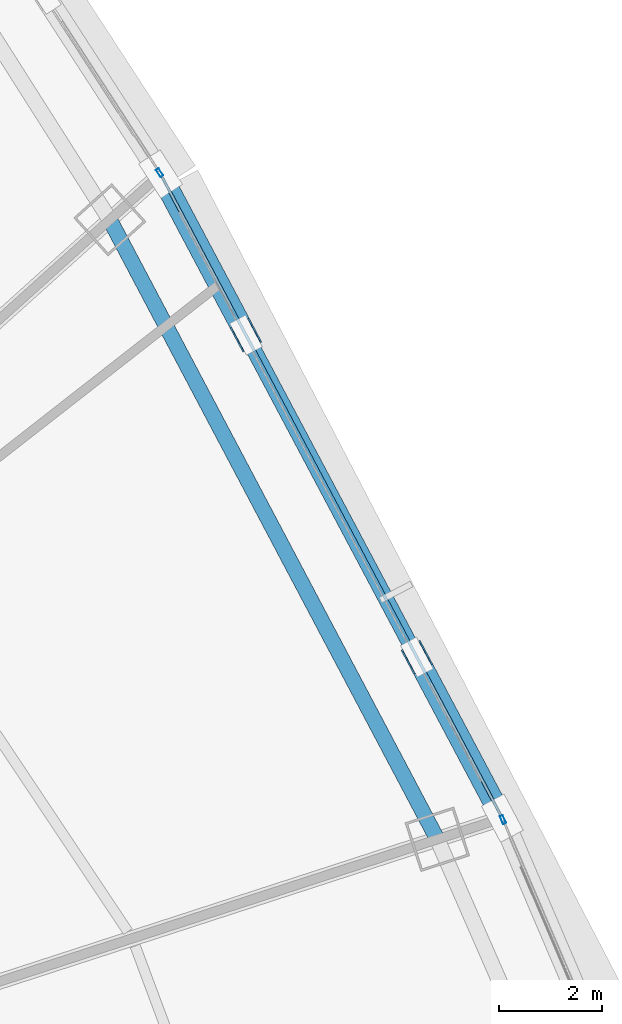
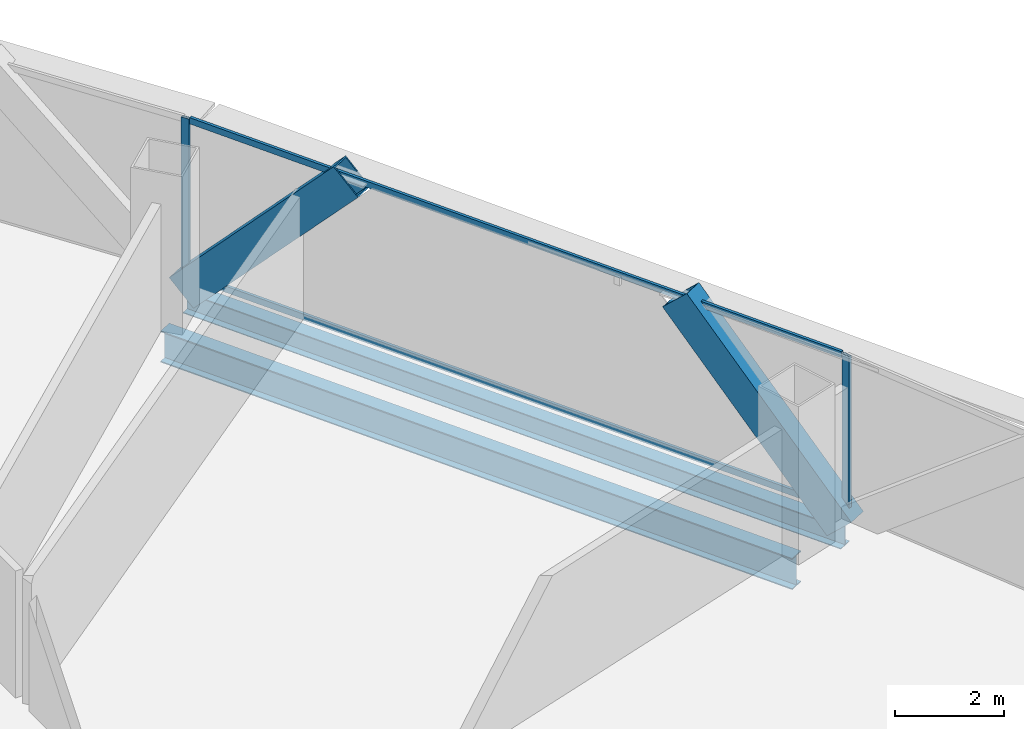
# One storey, part 26 of 41: 6 members, 2 beams, 3 elements without a shape of their own.
"""IFC4 building model written with IfcOpenShell, lengths in metres."""

import ifcopenshell
import ifcopenshell.guid

model = None  # the IFC model being written
_history = None  # IfcOwnerHistory: only IFC2X3 demands one
_inside = {}  # id of a spatial element -> (the spatial element, [elements in it])
_under = {}  # id of a project, library or spatial element -> (it, [spatial elements below it])
_declared = {}  # id of a project -> (the project, [libraries it declares])
_typed = {}  # id of a type object -> (the type object, [elements of that type])
_made_of = {}  # id of a material, layer set ... -> (it, [elements and type objects made of it])


def new_model(schema):
    """Start an empty IFC model of exactly this schema.

    Asked for "IFC4X3", IfcOpenShell would pick the latest addendum, in which some entities
    have other attributes; the version numbers below select the first issue.
    IFC2X3 requires an IfcOwnerHistory on every rooted entity: one is made here for all.
    """
    global model, _history
    if schema == "IFC4X3":
        model = ifcopenshell.file(schema_version=(4, 3, 0, 0))
    else:
        model = ifcopenshell.file(schema=schema)
    _inside.clear()
    _under.clear()
    _declared.clear()
    _typed.clear()
    _made_of.clear()
    _history = None
    if model.schema == "IFC2X3":
        org = make("IfcOrganization", Name="unknown")
        user = make(
            "IfcPersonAndOrganization",
            ThePerson=make("IfcPerson", FamilyName="unknown"),
            TheOrganization=org,
        )
        app = make(
            "IfcApplication",
            ApplicationDeveloper=org,
            Version="unknown",
            ApplicationFullName="unknown",
            ApplicationIdentifier="unknown",
        )
        _history = make(
            "IfcOwnerHistory",
            OwningUser=user,
            OwningApplication=app,
            ChangeAction="ADDED",
            CreationDate=0,
        )
    return model


def make(cls, **values):
    """One entity of the class cls with the attributes given. An attribute that is None is left unset."""
    return model.create_entity(
        cls, **{name: value for name, value in values.items() if value is not None}
    )


def rooted(cls, **values):
    """An entity with a GlobalId (a new one), such as an element, a storey or a relation."""
    return make(cls, GlobalId=ifcopenshell.guid.new(), OwnerHistory=_history, **values)


def si_unit(unit_type, name, prefix=None):
    """IfcSIUnit, for example si_unit("LENGTHUNIT", "METRE", prefix="MILLI")."""
    return make("IfcSIUnit", UnitType=unit_type, Prefix=prefix, Name=name)


def assignment(units):
    """IfcUnitAssignment: the units of a project."""
    return None if units is None else make("IfcUnitAssignment", Units=units)


def point(xyz):
    """IfcCartesianPoint."""
    return None if xyz is None else make("IfcCartesianPoint", Coordinates=xyz)


def direction(xyz):
    """IfcDirection."""
    return None if xyz is None else make("IfcDirection", DirectionRatios=xyz)


def frame(location, z_axis=None, x_axis=None):
    """IfcAxis2Placement3D, a coordinate frame: its origin and axes. An axis left out is left unset."""
    return make(
        "IfcAxis2Placement3D",
        Location=point(location),
        Axis=direction(z_axis),
        RefDirection=direction(x_axis),
    )


def frame_2d(location, x_axis=None):
    """IfcAxis2Placement2D, a coordinate frame in the plane: its origin and x axis."""
    return make(
        "IfcAxis2Placement2D", Location=point(location), RefDirection=direction(x_axis)
    )


def origin():
    """The frame at (0, 0, 0) with its axes left unset."""
    return frame((0.0, 0.0, 0.0))


def origin_2d():
    """The frame at (0, 0) in the plane with its x axis left unset."""
    return frame_2d((0.0, 0.0))


def place(relative_to, where):
    """IfcLocalPlacement: puts the frame where relative to a parent placement (None: the world)."""
    return make(
        "IfcLocalPlacement", PlacementRelTo=relative_to, RelativePlacement=where
    )


def context(
    kind, dimensions, precision=None, world=None, true_north=None, identifier=None
):
    """IfcGeometricRepresentationContext, for example the 3D "Model" context."""
    return make(
        "IfcGeometricRepresentationContext",
        ContextIdentifier=identifier,
        ContextType=kind,
        CoordinateSpaceDimension=dimensions,
        Precision=precision,
        WorldCoordinateSystem=world,
        TrueNorth=true_north,
    )


def subcontext(parent, identifier, kind, view, scale=None):
    """IfcGeometricRepresentationSubContext, for example "Body" below "Model"."""
    return make(
        "IfcGeometricRepresentationSubContext",
        ContextIdentifier=identifier,
        ContextType=kind,
        ParentContext=parent,
        TargetScale=scale,
        TargetView=view,
    )


def project(units=None, contexts=None):
    """IfcProject with its units and contexts."""
    return rooted(
        "IfcProject",
        Name="project",
        RepresentationContexts=contexts,
        UnitsInContext=assignment(units),
    )


def spatial(cls, under=None, at=None, **own):
    """A site, building, storey or space (cls), placed at a placement, below another one or the project."""
    s = rooted(cls, ObjectPlacement=at, **own)
    if under is not None:
        _under.setdefault(under.id(), (under, []))[1].append(s)
    return s


def profile(cls, at=None, kind="AREA", **sizes):
    """A parametric profile (cls). Its sizes go by their IFC names, for example OverallWidth=200.0."""
    return make(cls, ProfileType=kind, Position=at, **sizes)


def hollow_rectangle(**sizes):
    """IfcRectangleHollowProfileDef."""
    return profile("IfcRectangleHollowProfileDef", **sizes)


def i_section(**sizes):
    """IfcIShapeProfileDef."""
    return profile("IfcIShapeProfileDef", **sizes)


def extrude(swept, where, along, depth):
    """IfcExtrudedAreaSolid: the profile swept, set in the frame where, extruded along a direction by depth."""
    return make(
        "IfcExtrudedAreaSolid",
        SweptArea=swept,
        Position=where,
        ExtrudedDirection=direction(along),
        Depth=depth,
    )


def shape(context_of_items, identifier, shape_type, items):
    """IfcShapeRepresentation: the items that make up one representation, for example the "Body"."""
    return make(
        "IfcShapeRepresentation",
        ContextOfItems=context_of_items,
        RepresentationIdentifier=identifier,
        RepresentationType=shape_type,
        Items=items,
    )


def source(mapping_origin, context_of_items, identifier, shape_type, items):
    """IfcRepresentationMap: a shape defined once, which mapped items show again and again."""
    return make(
        "IfcRepresentationMap",
        MappingOrigin=mapping_origin,
        MappedRepresentation=shape(context_of_items, identifier, shape_type, items),
    )


def transform(
    local_origin,
    x_axis=None,
    y_axis=None,
    z_axis=None,
    scale=None,
    scale2=None,
    scale3=None,
    uniform=True,
):
    """IfcCartesianTransformationOperator3D, or its non-uniform kind. x_axis, y_axis, z_axis: its Axis1, 2, 3."""
    if uniform:
        return make(
            "IfcCartesianTransformationOperator3D",
            Axis1=direction(x_axis),
            Axis2=direction(y_axis),
            LocalOrigin=point(local_origin),
            Scale=scale,
            Axis3=direction(z_axis),
        )
    return make(
        "IfcCartesianTransformationOperator3DnonUniform",
        Axis1=direction(x_axis),
        Axis2=direction(y_axis),
        LocalOrigin=point(local_origin),
        Scale=scale,
        Axis3=direction(z_axis),
        Scale2=scale2,
        Scale3=scale3,
    )


def mapped(mapping_source, mapping_target):
    """IfcMappedItem: shows the shape of a source again, moved by a transform."""
    return make(
        "IfcMappedItem", MappingSource=mapping_source, MappingTarget=mapping_target
    )


def material(Name=None, Category=None):
    """IfcMaterial."""
    return make("IfcMaterial", Name=Name, Category=Category)


def layer(
    of_material, thickness, ventilated=None, Name=None, Category=None, Priority=None
):
    """IfcMaterialLayer: one layer of a wall or slab, of a material (None: an air gap)."""
    return make(
        "IfcMaterialLayer",
        Material=of_material,
        LayerThickness=thickness,
        IsVentilated=ventilated,
        Name=Name,
        Category=Category,
        Priority=Priority,
    )


def layer_set(layers, Name=None):
    """IfcMaterialLayerSet."""
    return make("IfcMaterialLayerSet", MaterialLayers=layers, LayerSetName=Name)


def material_profile(
    of_material, cross_section, Name=None, Category=None, Priority=None
):
    """IfcMaterialProfile: a cross section and its material."""
    return make(
        "IfcMaterialProfile",
        Name=Name,
        Material=of_material,
        Profile=cross_section,
        Priority=Priority,
        Category=Category,
    )


def profile_set(profiles, Name=None, composite=None):
    """IfcMaterialProfileSet."""
    return make(
        "IfcMaterialProfileSet",
        Name=Name,
        MaterialProfiles=profiles,
        CompositeProfile=composite,
    )


def made_of(thing, what):
    """Note that an element or type object is made of a material, layer set ...; save() writes the relation."""
    if what is not None:
        _made_of.setdefault(what.id(), (what, []))[1].append(thing)
    return thing


def type_object(cls, material=None, **own):
    """A type object (cls), such as IfcWallType, which elements share."""
    return made_of(rooted(cls, **own), material)


def element(
    cls,
    number,
    at=None,
    inside=None,
    cuts=None,
    type_object=None,
    material=None,
    context=None,
    identifier="Body",
    shape_type=None,
    held_by="IfcProductDefinitionShape",
    body=None,
    shapes=None,
    **own,
):
    """One element of the class cls, such as IfcWall. Its Tag is "e" and its number.

    at: its placement. inside: the storey or other place that contains it. cuts: it is an
    opening in that element (IfcRelVoidsElement). A single representation is given by context,
    identifier, shape_type and body (its items); several are given by shapes. held_by: the class
    of the entity that holds the representations. save() writes the other relations.
    """
    e = rooted(cls, Tag="e%d" % number, ObjectPlacement=at, **own)
    if body is not None:
        shapes = [shape(context, identifier, shape_type, body)]
    if shapes is not None:
        e.Representation = make(held_by, Representations=shapes)
    if inside is not None:
        _inside.setdefault(inside.id(), (inside, []))[1].append(e)
    if cuts is not None:
        rooted(
            "IfcRelVoidsElement", RelatingBuildingElement=cuts, RelatedOpeningElement=e
        )
    if type_object is not None:
        _typed.setdefault(type_object.id(), (type_object, []))[1].append(e)
    return made_of(e, material)


def aggregate(whole, parts):
    """IfcRelAggregates: a whole, such as a stair, and the parts it consists of."""
    return rooted("IfcRelAggregates", RelatingObject=whole, RelatedObjects=parts)


def save(model, path):
    """Write the relations noted so far, then the file.

    IfcRelAggregates (storeys below a building ...), IfcRelContainedInSpatialStructure (elements
    in a storey), IfcRelDefinesByType, IfcRelAssociatesMaterial and IfcRelDeclares: one each for
    every whole, place, type object, material and project.
    """
    for whole, parts in _under.values():
        aggregate(whole, parts)
    for where, things in _inside.values():
        rooted(
            "IfcRelContainedInSpatialStructure",
            RelatedElements=things,
            RelatingStructure=where,
        )
    for kind, things in _typed.values():
        rooted("IfcRelDefinesByType", RelatedObjects=things, RelatingType=kind)
    for what, things in _made_of.values():
        rooted("IfcRelAssociatesMaterial", RelatedObjects=things, RelatingMaterial=what)
    for by, libraries in _declared.values():
        rooted("IfcRelDeclares", RelatingContext=by, RelatedDefinitions=libraries)
    model.write(path)


model = new_model("IFC4")

# Units and contexts
model_context = context("Model", 3, precision=1e-05, world=origin(), true_north=direction((0.0, 1.0)))
body_context = subcontext(model_context, "Body", "Model", "MODEL_VIEW")
ifc_project = project(units=[si_unit("LENGTHUNIT", "METRE"), si_unit("AREAUNIT", "SQUARE_METRE"), si_unit("VOLUMEUNIT", "CUBIC_METRE"), si_unit("PLANEANGLEUNIT", "RADIAN"), si_unit("MASSUNIT", "GRAM", prefix="KILO"), si_unit("THERMODYNAMICTEMPERATUREUNIT", "KELVIN"), si_unit("POWERUNIT", "WATT")], contexts=[model_context])

# Site, building, storey
site_placement = place(None, origin())
site = spatial("IfcSite", under=ifc_project, at=site_placement, CompositionType="ELEMENT")
building_placement = place(site_placement, origin())
building = spatial("IfcBuilding", under=site, at=building_placement, Name="Yunzhuo Pagoda Commons", CompositionType="ELEMENT")
storey_placement = place(building_placement, frame((0.0, 0.0, 111.580078125)))
storey = spatial("IfcBuildingStorey", under=building, at=storey_placement, Name="L28", CompositionType="ELEMENT", Elevation=111.580078125)

# Beams
ifc_material_1 = material(Name="Structural steel Q355B", Category="steel")
ifc_material_profile_1 = material_profile(ifc_material_1, i_section(OverallWidth=0.300048828125, OverallDepth=0.699951171875, WebThickness=0.012939453125, FlangeThickness=0.02392578125, at=origin_2d()), Name="Structural steel Q355B")
ifc_profile_set_1 = profile_set([ifc_material_profile_1], Name="Structural steel Q355B")
beam_type_1 = type_object("IfcBeamType", Name="B-RG1 Beam HN 700x300x13x24", PredefinedType="BEAM", material=ifc_profile_set_1)
shared_shape_1 = source(origin(), body_context, "Body", "SweptSolid", [
    extrude(i_section(OverallWidth=0.300048828125, OverallDepth=0.699951171875, WebThickness=0.012939453125, FlangeThickness=0.02392578125, at=origin_2d()), origin(), (0.0, 0.0, 1.0), 13.66748046875),
])
beam_1_placement = place(storey_placement, frame((78.99072265625, 43.76953125, -0.610107421875), z_axis=(-0.467383716456, 0.88405455804, 0.0), x_axis=(-0.88405455804, -0.467383716456, 0.0)))
element("IfcBeam", 1, at=beam_1_placement, inside=storey, type_object=beam_type_1, Name="L28 column-ring beam 6", PredefinedType="BEAM", context=body_context, shape_type="MappedRepresentation", body=[
    mapped(shared_shape_1, transform((0.0, 0.0, 0.0), scale=1.0)),
])
ifc_material_profile_2 = material_profile(ifc_material_1, i_section(OverallWidth=0.300048828125, OverallDepth=0.488037109375, WebThickness=0.010986328125, FlangeThickness=0.01806640625, at=origin_2d()), Name="Structural steel Q355B")
ifc_profile_set_2 = profile_set([ifc_material_profile_2], Name="Structural steel Q355B")
beam_type_2 = type_object("IfcBeamType", Name="B-SP1 Beam HM 488x300x11x18", PredefinedType="BEAM", material=ifc_profile_set_2)
shared_shape_2 = source(origin(), body_context, "Body", "SweptSolid", [
    extrude(i_section(OverallWidth=0.300048828125, OverallDepth=0.488037109375, WebThickness=0.010986328125, FlangeThickness=0.01806640625, at=origin_2d()), origin(), (0.0, 0.0, 1.0), 14.220947265625),
])
beam_2_placement = place(storey_placement, frame((80.25830078125, 44.181640625, -0.504150390625), z_axis=(-0.468761461949, 0.883324794055, 0.0), x_axis=(-0.883324794055, -0.468761461949, 0.0)))
element("IfcBeam", 2, at=beam_2_placement, inside=storey, type_object=beam_type_2, Name="L28 facade edge spandrel beam F2.2", PredefinedType="BEAM", context=body_context, shape_type="MappedRepresentation", body=[
    mapped(shared_shape_2, transform((0.0, 0.0, 0.0), scale=1.0)),
])

# Members
ifc_material_2 = material(Name="Structural steel Q420B", Category="steel")
ifc_material_profile_3 = material_profile(ifc_material_2, hollow_rectangle(XDim=0.419921875, YDim=0.719970703125, WallThickness=0.028076171875, at=origin_2d()), Name="Structural steel Q420B")
ifc_profile_set_3 = profile_set([ifc_material_profile_3], Name="Structural steel Q420B")
member_type_1 = type_object("IfcMemberType", Name="M-DL1 Brace BOX 720x420x28", PredefinedType="BRACE", material=ifc_profile_set_3)
shared_shape_3 = source(origin(), body_context, "Body", "SweptSolid", [
    extrude(hollow_rectangle(XDim=0.419921875, YDim=0.719970703125, WallThickness=0.028076171875, at=origin_2d()), origin(), (0.0, 0.0, 1.0), 5.20361328125),
])
member_1_placement = place(storey_placement, frame((80.25830078125, 44.181640625, -0.260009765625), z_axis=(-0.320256182833, 0.603447849927, 0.730264794287), x_axis=(-0.883313039541, -0.468783611251, 0.0)))
element("IfcMember", 3, at=member_1_placement, inside=storey, type_object=member_type_1, Name="L28 facade diamond brace F2.2L", PredefinedType="BRACE", context=body_context, shape_type="MappedRepresentation", body=[
    mapped(shared_shape_3, transform((0.0, 0.0, 0.0), scale=1.0)),
])
shared_shape_4 = source(origin(), body_context, "Body", "SweptSolid", [
    extrude(hollow_rectangle(XDim=0.419921875, YDim=0.719970703125, WallThickness=0.028076171875, at=origin_2d()), origin(), (0.0, 0.0, 1.0), 5.203857421875),
])
member_2_placement = place(storey_placement, frame((73.592041015625, 56.743408203125, -0.260009765625), z_axis=(0.32023804876, -0.603507509412, 0.730223444029), x_axis=(0.883343218339, 0.468726741945, 0.0)))
element("IfcMember", 4, at=member_2_placement, inside=storey, type_object=member_type_1, Name="L28 facade diamond brace F2.2R", PredefinedType="BRACE", context=body_context, shape_type="MappedRepresentation", body=[
    mapped(shared_shape_4, transform((0.0, 0.0, 0.0), scale=1.0)),
])

# Curtain wall, member
ifc_material_3 = material(Name="Anodized aluminium 6063-T6", Category="aluminium")
ifc_layer = layer(ifc_material_3, 0.1650390625)
ifc_layer_set = layer_set([ifc_layer], Name="Anodized aluminium 6063-T6")
curtain_wall_type = type_object("IfcCurtainWallType", Name="CW-LOW Low-Zone Ribbon Curtain Wall", PredefinedType="NOTDEFINED", material=ifc_layer_set)
curtain_wall_1_placement = place(storey_placement, origin())
curtain_wall_1 = element("IfcCurtainWall", 5, at=curtain_wall_1_placement, inside=storey, type_object=curtain_wall_type, Name="L28 curtain wall CW-L28-F2B2", PredefinedType="NOTDEFINED")
ifc_material_profile_4 = material_profile(ifc_material_3, hollow_rectangle(XDim=0.06494140625, YDim=0.1650390625, WallThickness=0.00390625, at=origin_2d()), Name="Anodized aluminium 6063-T6")
ifc_profile_set_4 = profile_set([ifc_material_profile_4], Name="Anodized aluminium 6063-T6")
member_type_2 = type_object("IfcMemberType", Name="CW-LOW-M Mullion RHS 165x65x4", PredefinedType="MULLION", material=ifc_profile_set_4)
shared_shape_5 = source(origin(), body_context, "Body", "SweptSolid", [
    extrude(hollow_rectangle(XDim=0.06494140625, YDim=0.1650390625, WallThickness=0.00390625, at=origin_2d()), origin(), (0.0, 0.0, 1.0), 3.5400390625),
])
member_3_placement = place(storey_placement, frame((80.27099609375, 44.1513671875, 0.0), z_axis=(0.0, 0.0, 1.0), x_axis=(-0.919648900825, -0.392741517046, 0.0)))
member_3 = element("IfcMember", 6, at=member_3_placement, type_object=member_type_2, Name="CW mullion 2", PredefinedType="MULLION", context=body_context, shape_type="MappedRepresentation", body=[
    mapped(shared_shape_5, transform((0.0, 0.0, 0.0), scale=1.0)),
])
aggregate(curtain_wall_1, [member_3])

curtain_wall_2_placement = place(storey_placement, origin())
curtain_wall_2 = element("IfcCurtainWall", 7, at=curtain_wall_2_placement, inside=storey, type_object=curtain_wall_type, Name="L28 curtain wall CW-L28-F2B4", PredefinedType="NOTDEFINED")
member_4_placement = place(storey_placement, frame((73.574462890625, 56.7705078125, 0.0), z_axis=(0.0, 0.0, 1.0), x_axis=(-0.839105842503, -0.543968183884, 0.0)))
member_4 = element("IfcMember", 8, at=member_4_placement, type_object=member_type_2, Name="CW mullion 1", PredefinedType="MULLION", context=body_context, shape_type="MappedRepresentation", body=[
    mapped(shared_shape_5, transform((0.0, 0.0, 0.0), scale=1.0)),
])
aggregate(curtain_wall_2, [member_4])

# Curtain wall, members
curtain_wall_3_placement = place(storey_placement, origin())
curtain_wall_3 = element("IfcCurtainWall", 9, at=curtain_wall_3_placement, inside=storey, type_object=curtain_wall_type, Name="L28 curtain wall CW-L28-F2B3", PredefinedType="NOTDEFINED")
ifc_material_profile_5 = material_profile(ifc_material_3, hollow_rectangle(XDim=0.06005859375, YDim=0.139892578125, WallThickness=0.00341796875, at=origin_2d()), Name="Anodized aluminium 6063-T6")
ifc_profile_set_5 = profile_set([ifc_material_profile_5], Name="Anodized aluminium 6063-T6")
member_type_3 = type_object("IfcMemberType", Name="CW-LOW-T Transom RHS 140x60x3.5", PredefinedType="USERDEFINED", material=ifc_profile_set_5)
shared_shape_6 = source(origin(), body_context, "Body", "SweptSolid", [
    extrude(hollow_rectangle(XDim=0.06005859375, YDim=0.139892578125, WallThickness=0.00341796875, at=origin_2d()), origin(), (0.0, 0.0, 1.0), 14.0908203125),
])
member_5_placement = place(storey_placement, frame((80.227783203125, 44.239013671875, 0.030029296875), z_axis=(-0.468760780126, 0.883325155883, 0.0), x_axis=(-0.883325155883, -0.468760780126, 0.0)))
member_5 = element("IfcMember", 10, at=member_5_placement, type_object=member_type_3, Name="CW transom 1.1", ObjectType="TRANSOM", PredefinedType="USERDEFINED", context=body_context, shape_type="MappedRepresentation", body=[
    mapped(shared_shape_6, transform((0.0, 0.0, 0.0), scale=1.0)),
])
member_6_placement = place(storey_placement, frame((80.227783203125, 44.239013671875, 3.510009765625), z_axis=(-0.468760780126, 0.883325155883, 0.0), x_axis=(-0.883325155883, -0.468760780126, 0.0)))
member_6 = element("IfcMember", 11, at=member_6_placement, type_object=member_type_3, Name="CW transom 1.2", ObjectType="TRANSOM", PredefinedType="USERDEFINED", context=body_context, shape_type="MappedRepresentation", body=[
    mapped(shared_shape_6, transform((0.0, 0.0, 0.0), scale=1.0)),
])
aggregate(curtain_wall_3, [member_5, member_6])

save(model, "model.ifc")
